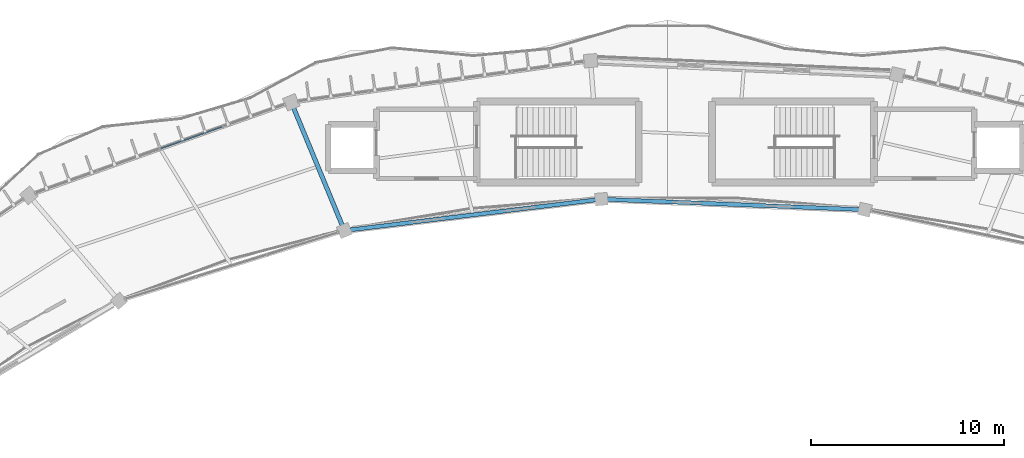
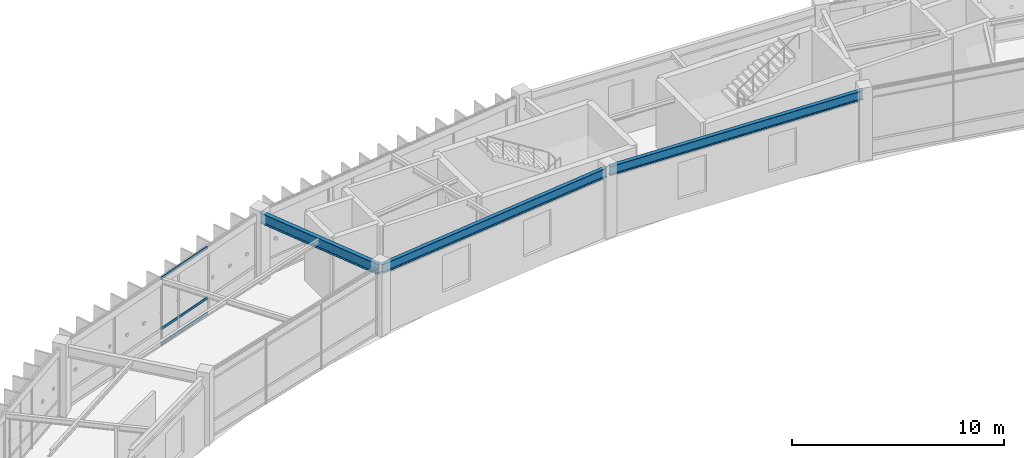
# One storey, part 63 of 138: 3 beams, 3 members, 1 element without a shape of its own.
"""IFC4 building model written with IfcOpenShell, lengths in metres."""

from ifc_helpers import new_model, si_unit, direction, frame, origin, origin_2d, place, context, subcontext, project, spatial, hollow_rectangle, i_section, extrude, material, material_profile, profile_set, type_object, element, aggregate, save


model = new_model("IFC4")

# Units and contexts
model_context = context("Model", 3, precision=1e-05, world=origin(), true_north=direction((0.0, 1.0)))
body_context = subcontext(model_context, "Body", "Model", "MODEL_VIEW")
ifc_project = project(units=[si_unit("LENGTHUNIT", "METRE"), si_unit("AREAUNIT", "SQUARE_METRE"), si_unit("VOLUMEUNIT", "CUBIC_METRE"), si_unit("PLANEANGLEUNIT", "RADIAN"), si_unit("MASSUNIT", "GRAM", prefix="KILO"), si_unit("THERMODYNAMICTEMPERATUREUNIT", "KELVIN"), si_unit("POWERUNIT", "WATT")], contexts=[model_context])

# Site, building, storey
site_placement = place(None, origin())
site = spatial("IfcSite", under=ifc_project, at=site_placement, CompositionType="ELEMENT")
building_placement = place(site_placement, origin())
building = spatial("IfcBuilding", under=site, at=building_placement, Name="Darbajah Civic Hall", CompositionType="ELEMENT")
storey_placement = place(building_placement, frame((0.0, 0.0, 9.60009765625)))
storey = spatial("IfcBuildingStorey", under=building, at=storey_placement, Name="L02", CompositionType="ELEMENT", Elevation=9.60009765625)

# Curtain wall, members
ifc_material_1 = material(Name="Anodised Bronze Aluminium and Low-E Glazing", Category="aluminium")
curtain_wall_type = type_object("IfcCurtainWallType", Name="Unitised Curtain Wall CW-24 13700x3900", PredefinedType="USERDEFINED", material=ifc_material_1)
curtain_wall_placement = place(storey_placement, origin())
curtain_wall = element("IfcCurtainWall", 1, at=curtain_wall_placement, inside=storey, type_object=curtain_wall_type, Name="L02 unitised curtain wall CW-V1O-L02-06", ObjectType="UNITISED CURTAIN WALL", PredefinedType="USERDEFINED")
ifc_material_2 = material(Name="Anodised Bronze Aluminium", Category="aluminium")
ifc_material_profile_1 = material_profile(ifc_material_2, hollow_rectangle(XDim=0.06494140625, YDim=0.139892578125, WallThickness=0.00341796875, at=origin_2d()), Name="ALU TRANSOM 65x140")
ifc_profile_set_1 = profile_set([ifc_material_profile_1], Name="Anodised Bronze Aluminium")
member_type = type_object("IfcMemberType", Name="ALU TRANSOM 65x140", PredefinedType="USERDEFINED", material=ifc_profile_set_1)
member_1_placement = place(storey_placement, frame((65.980712890625, 115.777587890625, 0.06982421875), z_axis=(-0.942537095742, -0.334101516234, 0.0), x_axis=(0.334101516234, -0.942537095742, 0.0)))
member_1 = element("IfcMember", 2, at=member_1_placement, type_object=member_type, Name="CW-V1O-L02-06 transom 2.1", ObjectType="TRANSOM", PredefinedType="USERDEFINED", context=body_context, shape_type="SweptSolid", body=[
    extrude(hollow_rectangle(XDim=0.06494140625, YDim=0.139892578125, WallThickness=0.00341796875, at=origin_2d()), origin(), (0.0, 0.0, 1.0), 3.357666015625),
])
member_2_placement = place(storey_placement, frame((65.980712890625, 115.777587890625, 0.949951171875), z_axis=(-0.942537095742, -0.334101516234, 0.0), x_axis=(0.334101516234, -0.942537095742, 0.0)))
member_2 = element("IfcMember", 3, at=member_2_placement, type_object=member_type, Name="CW-V1O-L02-06 transom 2.2", ObjectType="TRANSOM", PredefinedType="USERDEFINED", context=body_context, shape_type="SweptSolid", body=[
    extrude(hollow_rectangle(XDim=0.06494140625, YDim=0.139892578125, WallThickness=0.00341796875, at=origin_2d()), origin(), (0.0, 0.0, 1.0), 3.357666015625),
])
member_3_placement = place(storey_placement, frame((65.980712890625, 115.777587890625, 3.849853515625), z_axis=(-0.942537095742, -0.334101516234, 0.0), x_axis=(0.334101516234, -0.942537095742, 0.0)))
member_3 = element("IfcMember", 4, at=member_3_placement, type_object=member_type, Name="CW-V1O-L02-06 transom 2.3", ObjectType="TRANSOM", PredefinedType="USERDEFINED", context=body_context, shape_type="SweptSolid", body=[
    extrude(hollow_rectangle(XDim=0.06494140625, YDim=0.139892578125, WallThickness=0.00341796875, at=origin_2d()), origin(), (0.0, 0.0, 1.0), 3.357666015625),
])
aggregate(curtain_wall, [member_1, member_2, member_3])

# Beams
ifc_material_3 = material(Name="Steel S355JR", Category="steel")
ifc_material_profile_2 = material_profile(ifc_material_3, i_section(OverallWidth=0.209228515625, OverallDepth=0.533203125, WebThickness=0.010009765625, FlangeThickness=0.015625, FilletRadius=0.0126953125, at=origin_2d()), Name="UB 533x210x92")
ifc_profile_set_2 = profile_set([ifc_material_profile_2], Name="Steel S355JR")
beam_type_1 = type_object("IfcBeamType", Name="UB 533x210x92", PredefinedType="BEAM", material=ifc_profile_set_2)
beam_1_placement = place(storey_placement, frame((99.2451171875, 111.487060546875, 3.6533203125), z_axis=(-0.999198156642, 0.040038028952, 0.0), x_axis=(-0.040038028952, -0.999198156642, 0.0)))
element("IfcBeam", 5, at=beam_1_placement, inside=storey, type_object=beam_type_1, Name="L02 beam SB-533", PredefinedType="BEAM", context=body_context, shape_type="SweptSolid", body=[
    extrude(i_section(OverallWidth=0.209228515625, OverallDepth=0.533203125, WebThickness=0.010009765625, FlangeThickness=0.015625, FilletRadius=0.0126953125, at=origin_2d()), origin(), (0.0, 0.0, 1.0), 13.512451171875),
])
beam_2_placement = place(storey_placement, frame((85.583984375, 112.021484375, 3.6533203125), z_axis=(-0.992611744559, -0.121333938216, 0.0), x_axis=(0.121333938216, -0.992611744559, 0.0)))
element("IfcBeam", 6, at=beam_2_placement, inside=storey, type_object=beam_type_1, Name="L02 beam SB-533", PredefinedType="BEAM", context=body_context, shape_type="SweptSolid", body=[
    extrude(i_section(OverallWidth=0.209228515625, OverallDepth=0.533203125, WebThickness=0.010009765625, FlangeThickness=0.015625, FilletRadius=0.0126953125, at=origin_2d()), origin(), (0.0, 0.0, 1.0), 13.263916015625),
])
ifc_material_profile_3 = material_profile(ifc_material_3, i_section(OverallWidth=0.228271484375, OverallDepth=0.607666015625, WebThickness=0.010986328125, FlangeThickness=0.017333984375, FilletRadius=0.0126953125, at=origin_2d()), Name="UB 610x229x113")
ifc_profile_set_3 = profile_set([ifc_material_profile_3], Name="Steel S355JR")
beam_type_2 = type_object("IfcBeamType", Name="UB 610x229x113", PredefinedType="BEAM", material=ifc_profile_set_3)
beam_3_placement = place(storey_placement, frame((72.307861328125, 110.476318359375, 3.6162109375), z_axis=(-0.382681552297, 0.923880311259, 0.0), x_axis=(-0.923880311259, -0.382681552297, 0.0)))
element("IfcBeam", 7, at=beam_3_placement, inside=storey, type_object=beam_type_2, Name="L02 beam SB-610", PredefinedType="BEAM", context=body_context, shape_type="SweptSolid", body=[
    extrude(i_section(OverallWidth=0.228271484375, OverallDepth=0.607666015625, WebThickness=0.010986328125, FlangeThickness=0.017333984375, FilletRadius=0.0126953125, at=origin_2d()), origin(), (0.0, 0.0, 1.0), 7.0400390625),
])

save(model, "model.ifc")
